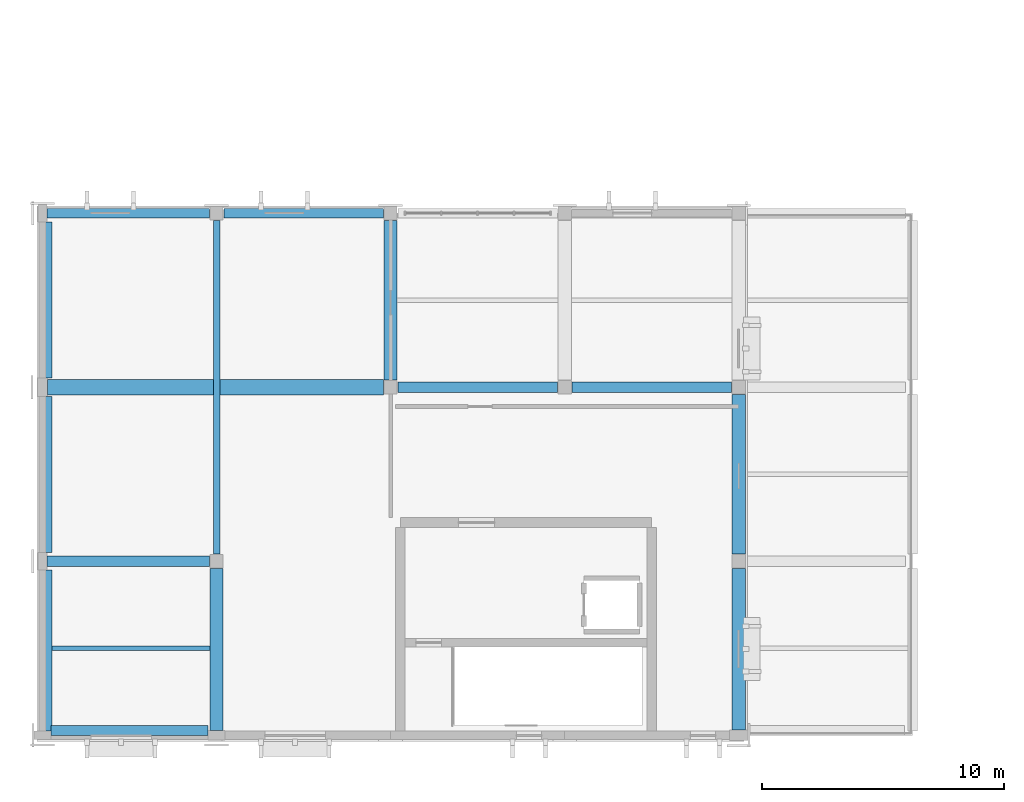
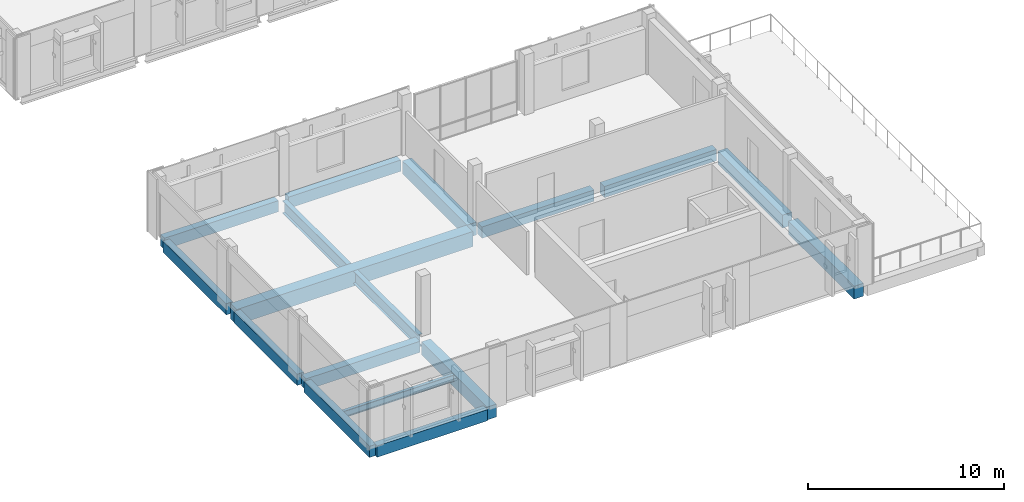
# One storey, part 10 of 73: 16 beams.
"""IFC4 building model written with IfcOpenShell, lengths in metres."""

import ifcopenshell
import ifcopenshell.guid

model = None  # the IFC model being written
_history = None  # IfcOwnerHistory: only IFC2X3 demands one
_inside = {}  # id of a spatial element -> (the spatial element, [elements in it])
_under = {}  # id of a project, library or spatial element -> (it, [spatial elements below it])
_declared = {}  # id of a project -> (the project, [libraries it declares])
_typed = {}  # id of a type object -> (the type object, [elements of that type])
_made_of = {}  # id of a material, layer set ... -> (it, [elements and type objects made of it])


def new_model(schema):
    """Start an empty IFC model of exactly this schema.

    Asked for "IFC4X3", IfcOpenShell would pick the latest addendum, in which some entities
    have other attributes; the version numbers below select the first issue.
    IFC2X3 requires an IfcOwnerHistory on every rooted entity: one is made here for all.
    """
    global model, _history
    if schema == "IFC4X3":
        model = ifcopenshell.file(schema_version=(4, 3, 0, 0))
    else:
        model = ifcopenshell.file(schema=schema)
    _inside.clear()
    _under.clear()
    _declared.clear()
    _typed.clear()
    _made_of.clear()
    _history = None
    if model.schema == "IFC2X3":
        org = make("IfcOrganization", Name="unknown")
        user = make(
            "IfcPersonAndOrganization",
            ThePerson=make("IfcPerson", FamilyName="unknown"),
            TheOrganization=org,
        )
        app = make(
            "IfcApplication",
            ApplicationDeveloper=org,
            Version="unknown",
            ApplicationFullName="unknown",
            ApplicationIdentifier="unknown",
        )
        _history = make(
            "IfcOwnerHistory",
            OwningUser=user,
            OwningApplication=app,
            ChangeAction="ADDED",
            CreationDate=0,
        )
    return model


def make(cls, **values):
    """One entity of the class cls with the attributes given. An attribute that is None is left unset."""
    return model.create_entity(
        cls, **{name: value for name, value in values.items() if value is not None}
    )


def rooted(cls, **values):
    """An entity with a GlobalId (a new one), such as an element, a storey or a relation."""
    return make(cls, GlobalId=ifcopenshell.guid.new(), OwnerHistory=_history, **values)


def si_unit(unit_type, name, prefix=None):
    """IfcSIUnit, for example si_unit("LENGTHUNIT", "METRE", prefix="MILLI")."""
    return make("IfcSIUnit", UnitType=unit_type, Prefix=prefix, Name=name)


def assignment(units):
    """IfcUnitAssignment: the units of a project."""
    return None if units is None else make("IfcUnitAssignment", Units=units)


def point(xyz):
    """IfcCartesianPoint."""
    return None if xyz is None else make("IfcCartesianPoint", Coordinates=xyz)


def direction(xyz):
    """IfcDirection."""
    return None if xyz is None else make("IfcDirection", DirectionRatios=xyz)


def frame(location, z_axis=None, x_axis=None):
    """IfcAxis2Placement3D, a coordinate frame: its origin and axes. An axis left out is left unset."""
    return make(
        "IfcAxis2Placement3D",
        Location=point(location),
        Axis=direction(z_axis),
        RefDirection=direction(x_axis),
    )


def frame_2d(location, x_axis=None):
    """IfcAxis2Placement2D, a coordinate frame in the plane: its origin and x axis."""
    return make(
        "IfcAxis2Placement2D", Location=point(location), RefDirection=direction(x_axis)
    )


def origin():
    """The frame at (0, 0, 0) with its axes left unset."""
    return frame((0.0, 0.0, 0.0))


def origin_2d():
    """The frame at (0, 0) in the plane with its x axis left unset."""
    return frame_2d((0.0, 0.0))


def place(relative_to, where):
    """IfcLocalPlacement: puts the frame where relative to a parent placement (None: the world)."""
    return make(
        "IfcLocalPlacement", PlacementRelTo=relative_to, RelativePlacement=where
    )


def context(
    kind, dimensions, precision=None, world=None, true_north=None, identifier=None
):
    """IfcGeometricRepresentationContext, for example the 3D "Model" context."""
    return make(
        "IfcGeometricRepresentationContext",
        ContextIdentifier=identifier,
        ContextType=kind,
        CoordinateSpaceDimension=dimensions,
        Precision=precision,
        WorldCoordinateSystem=world,
        TrueNorth=true_north,
    )


def subcontext(parent, identifier, kind, view, scale=None):
    """IfcGeometricRepresentationSubContext, for example "Body" below "Model"."""
    return make(
        "IfcGeometricRepresentationSubContext",
        ContextIdentifier=identifier,
        ContextType=kind,
        ParentContext=parent,
        TargetScale=scale,
        TargetView=view,
    )


def project(units=None, contexts=None):
    """IfcProject with its units and contexts."""
    return rooted(
        "IfcProject",
        Name="project",
        RepresentationContexts=contexts,
        UnitsInContext=assignment(units),
    )


def spatial(cls, under=None, at=None, **own):
    """A site, building, storey or space (cls), placed at a placement, below another one or the project."""
    s = rooted(cls, ObjectPlacement=at, **own)
    if under is not None:
        _under.setdefault(under.id(), (under, []))[1].append(s)
    return s


def profile(cls, at=None, kind="AREA", **sizes):
    """A parametric profile (cls). Its sizes go by their IFC names, for example OverallWidth=200.0."""
    return make(cls, ProfileType=kind, Position=at, **sizes)


def rectangle(**sizes):
    """IfcRectangleProfileDef."""
    return profile("IfcRectangleProfileDef", **sizes)


def i_section(**sizes):
    """IfcIShapeProfileDef."""
    return profile("IfcIShapeProfileDef", **sizes)


def extrude(swept, where, along, depth):
    """IfcExtrudedAreaSolid: the profile swept, set in the frame where, extruded along a direction by depth."""
    return make(
        "IfcExtrudedAreaSolid",
        SweptArea=swept,
        Position=where,
        ExtrudedDirection=direction(along),
        Depth=depth,
    )


def shape(context_of_items, identifier, shape_type, items):
    """IfcShapeRepresentation: the items that make up one representation, for example the "Body"."""
    return make(
        "IfcShapeRepresentation",
        ContextOfItems=context_of_items,
        RepresentationIdentifier=identifier,
        RepresentationType=shape_type,
        Items=items,
    )


def material(Name=None, Category=None):
    """IfcMaterial."""
    return make("IfcMaterial", Name=Name, Category=Category)


def material_profile(
    of_material, cross_section, Name=None, Category=None, Priority=None
):
    """IfcMaterialProfile: a cross section and its material."""
    return make(
        "IfcMaterialProfile",
        Name=Name,
        Material=of_material,
        Profile=cross_section,
        Priority=Priority,
        Category=Category,
    )


def profile_set(profiles, Name=None, composite=None):
    """IfcMaterialProfileSet."""
    return make(
        "IfcMaterialProfileSet",
        Name=Name,
        MaterialProfiles=profiles,
        CompositeProfile=composite,
    )


def made_of(thing, what):
    """Note that an element or type object is made of a material, layer set ...; save() writes the relation."""
    if what is not None:
        _made_of.setdefault(what.id(), (what, []))[1].append(thing)
    return thing


def type_object(cls, material=None, **own):
    """A type object (cls), such as IfcWallType, which elements share."""
    return made_of(rooted(cls, **own), material)


def element(
    cls,
    number,
    at=None,
    inside=None,
    cuts=None,
    type_object=None,
    material=None,
    context=None,
    identifier="Body",
    shape_type=None,
    held_by="IfcProductDefinitionShape",
    body=None,
    shapes=None,
    **own,
):
    """One element of the class cls, such as IfcWall. Its Tag is "e" and its number.

    at: its placement. inside: the storey or other place that contains it. cuts: it is an
    opening in that element (IfcRelVoidsElement). A single representation is given by context,
    identifier, shape_type and body (its items); several are given by shapes. held_by: the class
    of the entity that holds the representations. save() writes the other relations.
    """
    e = rooted(cls, Tag="e%d" % number, ObjectPlacement=at, **own)
    if body is not None:
        shapes = [shape(context, identifier, shape_type, body)]
    if shapes is not None:
        e.Representation = make(held_by, Representations=shapes)
    if inside is not None:
        _inside.setdefault(inside.id(), (inside, []))[1].append(e)
    if cuts is not None:
        rooted(
            "IfcRelVoidsElement", RelatingBuildingElement=cuts, RelatedOpeningElement=e
        )
    if type_object is not None:
        _typed.setdefault(type_object.id(), (type_object, []))[1].append(e)
    return made_of(e, material)


def aggregate(whole, parts):
    """IfcRelAggregates: a whole, such as a stair, and the parts it consists of."""
    return rooted("IfcRelAggregates", RelatingObject=whole, RelatedObjects=parts)


def save(model, path):
    """Write the relations noted so far, then the file.

    IfcRelAggregates (storeys below a building ...), IfcRelContainedInSpatialStructure (elements
    in a storey), IfcRelDefinesByType, IfcRelAssociatesMaterial and IfcRelDeclares: one each for
    every whole, place, type object, material and project.
    """
    for whole, parts in _under.values():
        aggregate(whole, parts)
    for where, things in _inside.values():
        rooted(
            "IfcRelContainedInSpatialStructure",
            RelatedElements=things,
            RelatingStructure=where,
        )
    for kind, things in _typed.values():
        rooted("IfcRelDefinesByType", RelatedObjects=things, RelatingType=kind)
    for what, things in _made_of.values():
        rooted("IfcRelAssociatesMaterial", RelatedObjects=things, RelatingMaterial=what)
    for by, libraries in _declared.values():
        rooted("IfcRelDeclares", RelatingContext=by, RelatedDefinitions=libraries)
    model.write(path)


model = new_model("IFC4")

# Units and contexts
model_context = context("Model", 3, precision=1e-05, world=origin(), true_north=direction((0.0, 1.0)))
body_context = subcontext(model_context, "Body", "Model", "MODEL_VIEW")
ifc_project = project(units=[si_unit("LENGTHUNIT", "METRE"), si_unit("AREAUNIT", "SQUARE_METRE"), si_unit("VOLUMEUNIT", "CUBIC_METRE"), si_unit("PLANEANGLEUNIT", "RADIAN"), si_unit("MASSUNIT", "GRAM", prefix="KILO")], contexts=[model_context])

# Site, building, storey
site_placement = place(None, origin())
site = spatial("IfcSite", under=ifc_project, at=site_placement, CompositionType="ELEMENT")
building_placement = place(site_placement, origin())
building = spatial("IfcBuilding", under=site, at=building_placement, Name="Vervanel Yard Central Library", CompositionType="ELEMENT")
storey_placement = place(building_placement, frame((0.0, 0.0, 12.780029296875)))
storey = spatial("IfcBuildingStorey", under=building, at=storey_placement, Name="L03", CompositionType="ELEMENT", Elevation=12.780029296875)

# Beams
ifc_material_1 = material(Name="Concrete C40/50", Category="concrete")
ifc_material_profile_1 = material_profile(ifc_material_1, rectangle(XDim=0.449951171875, YDim=0.699951171875, at=origin_2d()), Name="RC 450x700", Category="concrete")
ifc_profile_set_1 = profile_set([ifc_material_profile_1], Name="Concrete C40/50")
beam_type_1 = type_object("IfcBeamType", Name="Concrete Girder 450x700", PredefinedType="BEAM", material=ifc_profile_set_1)
beam_1_placement = place(storey_placement, frame((0.18994140625, 7.199951171875, -0.635009765625), z_axis=(1.0, 0.0, 0.0), x_axis=(0.0, 1.0, 0.0)))
element("IfcBeam", 1, at=beam_1_placement, inside=storey, type_object=beam_type_1, Name="L03 Girder CB-05 Y=7.2 X=0.0-7.2", PredefinedType="BEAM", context=body_context, shape_type="SweptSolid", body=[
    extrude(rectangle(XDim=0.449951171875, YDim=0.699951171875, at=origin_2d()), origin(), (0.0, 0.0, 1.0), 6.7099609375),
])
for number, where, z_axis, x_axis, name in (
    (2, (14.699951171875, 14.39990234375, -0.635009765625), (1.0, 0.0, 0.0), (0.0, 1.0, 0.0), "L03 Girder CB-05 Y=14.4 X=14.4-21.6"),
    (3, (21.89990234375, 14.39990234375, -0.635009765625), (1.0, 0.0, 0.0), (0.0, 1.0, 0.0), "L03 Girder CB-05 Y=14.4 X=21.6-28.8"),
):
    element("IfcBeam", number, at=place(storey_placement, frame(where, z_axis=z_axis, x_axis=x_axis)), inside=storey, type_object=beam_type_1, Name=name, PredefinedType="BEAM", context=body_context, shape_type="SweptSolid", body=[
        extrude(rectangle(XDim=0.449951171875, YDim=0.699951171875, at=origin_2d()), origin(), (0.0, 0.0, 1.0), 6.60009765625),
    ])
ifc_material_2 = material(Name="Concrete C45/55", Category="concrete")
ifc_material_profile_2 = material_profile(ifc_material_2, rectangle(XDim=0.64990234375, YDim=0.949951171875, at=origin_2d()), Name="RC 650x950", Category="concrete")
ifc_profile_set_2 = profile_set([ifc_material_profile_2], Name="Concrete C45/55")
beam_type_2 = type_object("IfcBeamType", Name="Concrete Heavy Stack Girder 650x950", PredefinedType="BEAM", material=ifc_profile_set_2)
beam_2_placement = place(storey_placement, frame((0.2099609375, 14.39990234375, -0.760009765625), z_axis=(1.0, 0.0, 0.0), x_axis=(0.0, 1.0, 0.0)))
element("IfcBeam", 4, at=beam_2_placement, inside=storey, type_object=beam_type_2, Name="L03 Girder CB-04 Y=14.4 X=0.0-14.4", PredefinedType="BEAM", context=body_context, shape_type="SweptSolid", body=[
    extrude(rectangle(XDim=0.64990234375, YDim=0.949951171875, at=origin_2d()), origin(), (0.0, 0.0, 1.0), 13.89013671875),
])
ifc_material_profile_3 = material_profile(ifc_material_1, rectangle(XDim=0.39990234375, YDim=0.699951171875, at=origin_2d()), Name="RC 400x700", Category="concrete")
ifc_profile_set_3 = profile_set([ifc_material_profile_3], Name="Concrete C40/50")
beam_type_3 = type_object("IfcBeamType", Name="Concrete Perimeter Spandrel 400x700", PredefinedType="SPANDREL", material=ifc_profile_set_3)
beam_3_placement = place(storey_placement, frame((0.35009765625, 0.199951171875, -0.635009765625), z_axis=(1.0, 0.0, 0.0), x_axis=(0.0, 1.0, 0.0)))
element("IfcBeam", 5, at=beam_3_placement, inside=storey, type_object=beam_type_3, Name="L03 Girder SP-01 Y=0.0 X=0.0-7.2", PredefinedType="SPANDREL", context=body_context, shape_type="SweptSolid", body=[
    extrude(rectangle(XDim=0.39990234375, YDim=0.699951171875, at=origin_2d()), origin(), (0.0, 0.0, 1.0), 6.489990234375),
])
beam_4_placement = place(storey_placement, frame((0.18994140625, 21.60009765625, -0.635009765625), z_axis=(1.0, 0.0, 0.0), x_axis=(0.0, 1.0, 0.0)))
element("IfcBeam", 6, at=beam_4_placement, inside=storey, type_object=beam_type_3, Name="L03 Girder SP-01 Y=21.6 X=0.0-7.2", PredefinedType="SPANDREL", context=body_context, shape_type="SweptSolid", body=[
    extrude(rectangle(XDim=0.39990234375, YDim=0.699951171875, at=origin_2d()), origin(), (0.0, 0.0, 1.0), 6.7099609375),
])
beam_5_placement = place(storey_placement, frame((7.5, 21.60009765625, -0.635009765625), z_axis=(1.0, 0.0, 0.0), x_axis=(0.0, 1.0, 0.0)))
element("IfcBeam", 7, at=beam_5_placement, inside=storey, type_object=beam_type_3, Name="L03 Girder SP-01 Y=21.6 X=7.2-14.4", PredefinedType="SPANDREL", context=body_context, shape_type="SweptSolid", body=[
    extrude(rectangle(XDim=0.39990234375, YDim=0.699951171875, at=origin_2d()), origin(), (0.0, 0.0, 1.0), 6.60009765625),
])
beam_6_placement = place(storey_placement, frame((0.199951171875, 0.175048828125, -0.635009765625), z_axis=(0.0, 1.0, 0.0), x_axis=(-1.0, 0.0, 0.0)))
element("IfcBeam", 8, at=beam_6_placement, inside=storey, type_object=beam_type_3, Name="L03 Girder SP-01 X=0.0 Y=0.0-7.2", PredefinedType="SPANDREL", context=body_context, shape_type="SweptSolid", body=[
    extrude(rectangle(XDim=0.39990234375, YDim=0.699951171875, at=origin_2d()), origin(), (0.0, 0.0, 1.0), 6.6650390625),
])
for number, where, z_axis, x_axis, name in (
    (9, (0.199951171875, 7.56005859375, -0.635009765625), (0.0, 1.0, 0.0), (-1.0, 0.0, 0.0), "L03 Girder SP-01 X=0.0 Y=7.2-14.4"),
    (10, (0.199951171875, 14.7900390625, -0.635009765625), (0.0, 1.0, 0.0), (-1.0, 0.0, 0.0), "L03 Girder SP-01 X=0.0 Y=14.4-21.6"),
):
    element("IfcBeam", number, at=place(storey_placement, frame(where, z_axis=z_axis, x_axis=x_axis)), inside=storey, type_object=beam_type_3, Name=name, PredefinedType="SPANDREL", context=body_context, shape_type="SweptSolid", body=[
        extrude(rectangle(XDim=0.39990234375, YDim=0.699951171875, at=origin_2d()), origin(), (0.0, 0.0, 1.0), 6.449951171875),
    ])
ifc_material_profile_4 = material_profile(ifc_material_1, rectangle(XDim=0.550048828125, YDim=0.800048828125, at=origin_2d()), Name="RC 550x800", Category="concrete")
ifc_profile_set_4 = profile_set([ifc_material_profile_4], Name="Concrete C40/50")
beam_type_4 = type_object("IfcBeamType", Name="Concrete Primary Girder 550x800", PredefinedType="BEAM", material=ifc_profile_set_4)
beam_7_placement = place(storey_placement, frame((7.199951171875, 0.18994140625, -0.68505859375), z_axis=(0.0, 1.0, 0.0), x_axis=(-1.0, 0.0, 0.0)))
element("IfcBeam", 11, at=beam_7_placement, inside=storey, type_object=beam_type_4, Name="L03 Girder CB-02 X=7.2 Y=0.0-7.2", PredefinedType="BEAM", context=body_context, shape_type="SweptSolid", body=[
    extrude(rectangle(XDim=0.550048828125, YDim=0.800048828125, at=origin_2d()), origin(), (0.0, 0.0, 1.0), 6.7099609375),
])
beam_8_placement = place(storey_placement, frame((14.39990234375, 14.699951171875, -0.68505859375), z_axis=(0.0, 1.0, 0.0), x_axis=(-1.0, 0.0, 0.0)))
element("IfcBeam", 12, at=beam_8_placement, inside=storey, type_object=beam_type_4, Name="L03 Girder CB-02 X=14.4 Y=14.4-21.6", PredefinedType="BEAM", context=body_context, shape_type="SweptSolid", body=[
    extrude(rectangle(XDim=0.550048828125, YDim=0.800048828125, at=origin_2d()), origin(), (0.0, 0.0, 1.0), 6.60009765625),
])
beam_9_placement = place(storey_placement, frame((28.800048828125, 0.2099609375, -0.7451171875), z_axis=(0.0, 1.0, 0.0), x_axis=(-1.0, 0.0, 0.0)))
element("IfcBeam", 13, at=beam_9_placement, inside=storey, type_object=beam_type_4, Name="L03 Girder CB-02 X=28.8 Y=0.0-7.2", PredefinedType="BEAM", context=body_context, shape_type="SweptSolid", body=[
    extrude(rectangle(XDim=0.550048828125, YDim=0.800048828125, at=origin_2d()), origin(), (0.0, 0.0, 1.0), 6.68994140625),
])
beam_10_placement = place(storey_placement, frame((28.800048828125, 7.5, -0.7451171875), z_axis=(0.0, 1.0, 0.0), x_axis=(-1.0, 0.0, 0.0)))
element("IfcBeam", 14, at=beam_10_placement, inside=storey, type_object=beam_type_4, Name="L03 Girder CB-02 X=28.8 Y=7.2-14.4", PredefinedType="BEAM", context=body_context, shape_type="SweptSolid", body=[
    extrude(rectangle(XDim=0.550048828125, YDim=0.800048828125, at=origin_2d()), origin(), (0.0, 0.0, 1.0), 6.60009765625),
])
ifc_material_3 = material(Name="Steel ASTM A992 Grade 50", Category="steel")
ifc_material_profile_5 = material_profile(ifc_material_3, i_section(OverallWidth=0.2666015625, OverallDepth=0.76953125, WebThickness=0.015625, FlangeThickness=0.025390625, at=origin_2d()), Name="W30X132", Category="steel")
ifc_profile_set_5 = profile_set([ifc_material_profile_5], Name="Steel ASTM A992 Grade 50")
beam_type_5 = type_object("IfcBeamType", Name="Steel Reading Hall Girder W30X132", PredefinedType="BEAM", material=ifc_profile_set_5)
beam_11_placement = place(storey_placement, frame((7.199951171875, 7.5, -0.669921875), z_axis=(0.0, 1.0, 0.0), x_axis=(-1.0, 0.0, 0.0)))
element("IfcBeam", 15, at=beam_11_placement, inside=storey, type_object=beam_type_5, Name="L03 Girder SB-04 X=7.2 Y=7.2-21.6", PredefinedType="BEAM", context=body_context, shape_type="SweptSolid", body=[
    extrude(i_section(OverallWidth=0.2666015625, OverallDepth=0.76953125, WebThickness=0.015625, FlangeThickness=0.025390625, at=origin_2d()), origin(), (0.0, 0.0, 1.0), 13.800048828125),
])
ifc_material_profile_6 = material_profile(ifc_material_3, i_section(OverallWidth=0.1787109375, OverallDepth=0.408935546875, WebThickness=0.0087890625, FlangeThickness=0.014404296875, at=origin_2d()), Name="W16X45", Category="steel")
ifc_profile_set_6 = profile_set([ifc_material_profile_6], Name="Steel ASTM A992 Grade 50")
beam_type_6 = type_object("IfcBeamType", Name="Steel Secondary Joist W16X45", PredefinedType="JOIST", material=ifc_profile_set_6)
beam_12_placement = place(storey_placement, frame((0.39990234375, 3.60009765625, -0.489501953125), z_axis=(1.0, 0.0, 0.0), x_axis=(0.0, 1.0, 0.0)))
element("IfcBeam", 16, at=beam_12_placement, inside=storey, type_object=beam_type_6, Name="L03 Floor Joist SJ-01 Y=3.60 X=0.0-7.2", PredefinedType="JOIST", context=body_context, shape_type="SweptSolid", body=[
    extrude(i_section(OverallWidth=0.1787109375, OverallDepth=0.408935546875, WebThickness=0.0087890625, FlangeThickness=0.014404296875, at=origin_2d()), origin(), (0.0, 0.0, 1.0), 6.525146484375),
])

save(model, "model.ifc")
